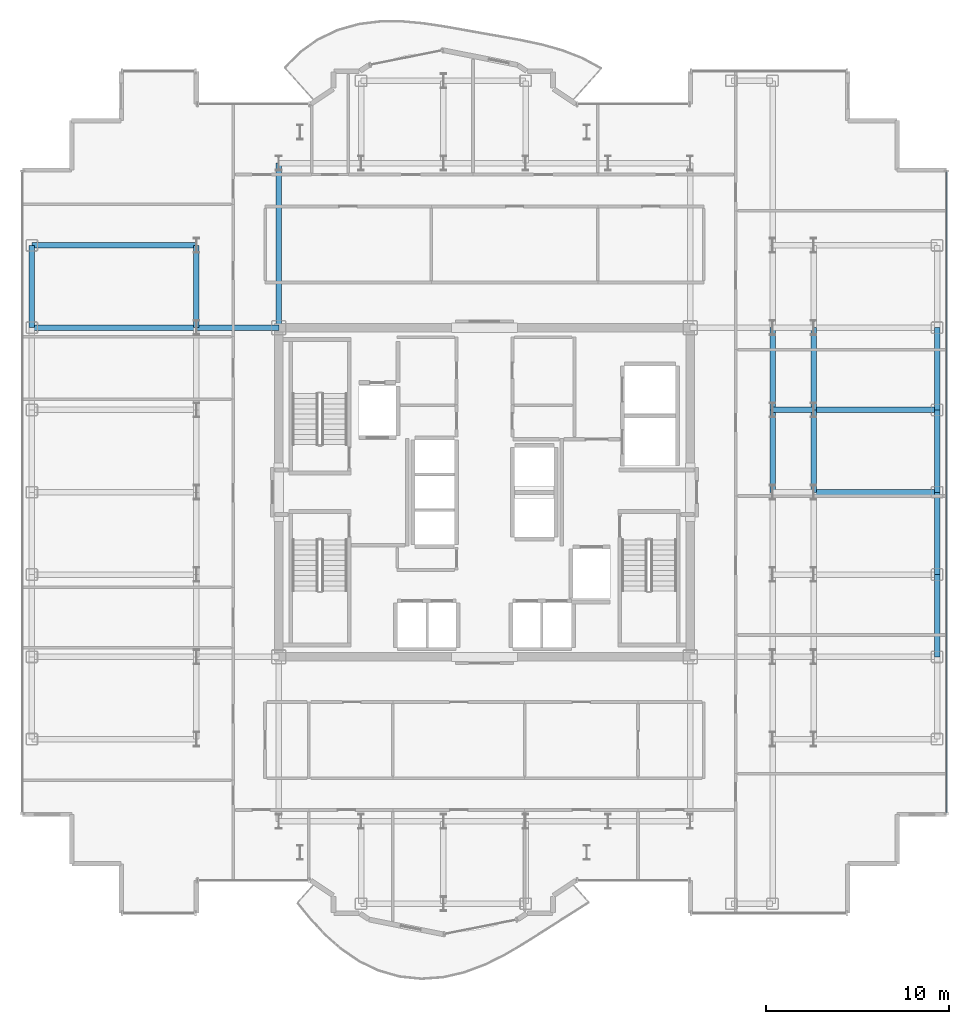
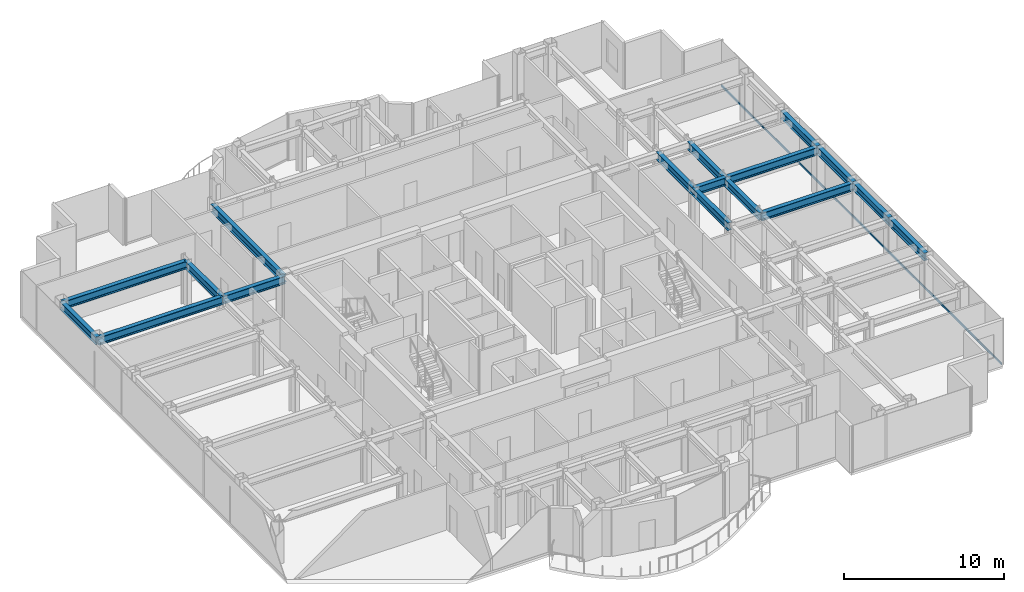
# One storey, part 7 of 21: 17 beams, 1 member, 1 element without a shape of its own.
"""IFC4 building model written with IfcOpenShell, lengths in metres."""

from ifc_helpers import new_model, si_unit, direction, frame, origin, origin_2d, place, context, subcontext, project, spatial, hollow_rectangle, i_section, extrude, source, transform, mapped, material, layer, layer_set, material_profile, profile_set, type_object, element, aggregate, save


model = new_model("IFC4")

# Units and contexts
model_context = context("Model", 3, precision=1e-05, world=origin(), true_north=direction((0.0, 1.0)))
body_context = subcontext(model_context, "Body", "Model", "MODEL_VIEW")
ifc_project = project(units=[si_unit("LENGTHUNIT", "METRE"), si_unit("AREAUNIT", "SQUARE_METRE"), si_unit("VOLUMEUNIT", "CUBIC_METRE"), si_unit("PLANEANGLEUNIT", "RADIAN"), si_unit("MASSUNIT", "GRAM", prefix="KILO")], contexts=[model_context])

# Site, building, storey
site_placement = place(None, origin())
site = spatial("IfcSite", under=ifc_project, at=site_placement, CompositionType="ELEMENT")
building_placement = place(site_placement, origin())
building = spatial("IfcBuilding", under=site, at=building_placement, Name="Nefas-Gora Pilgrimage Tower", CompositionType="ELEMENT")
storey_placement = place(building_placement, frame((0.0, 0.0, 233.199951171875)))
storey = spatial("IfcBuildingStorey", under=building, at=storey_placement, Name="L58", CompositionType="ELEMENT", Elevation=233.199951171875)

# Beams
ifc_material_1 = material(Name="Steel S355", Category="steel")
ifc_material_profile_1 = material_profile(ifc_material_1, i_section(OverallWidth=0.300048828125, OverallDepth=0.60009765625, WebThickness=0.015380859375, FlangeThickness=0.030029296875, FilletRadius=0.027099609375, at=origin_2d()), Name="HEB 600")
ifc_profile_set_1 = profile_set([ifc_material_profile_1], Name="Steel S355")
beam_type_1 = type_object("IfcBeamType", Name="BM-SPN-HEB450", PredefinedType="SPANDREL", material=ifc_profile_set_1)
shared_shape_1 = source(origin(), body_context, "Body", "SweptSolid", [
    extrude(i_section(OverallWidth=0.300048828125, OverallDepth=0.60009765625, WebThickness=0.015380859375, FlangeThickness=0.030029296875, FilletRadius=0.027099609375, at=origin_2d()), origin(), (0.0, 0.0, 1.0), 4.5),
])
for number, where, z_axis, x_axis, name in (
    (1, (-24.75, 9.0, 3.25), (0.0, 1.0, 0.0), (-1.0, 0.0, 0.0), "L58 SP-03 beam"),
    (2, (24.75, -9.0, 3.25), (0.0, 1.0, 0.0), (-1.0, 0.0, 0.0), "L58 SP-03 beam"),
    (3, (24.75, -4.5, 3.25), (0.0, 1.0, 0.0), (-1.0, 0.0, 0.0), "L58 SP-03 beam"),
    (4, (24.75, 0.0, 3.25), (0.0, 1.0, 0.0), (-1.0, 0.0, 0.0), "L58 SP-03 beam"),
    (5, (24.75, 4.5, 3.25), (0.0, 1.0, 0.0), (-1.0, 0.0, 0.0), "L58 SP-03 beam"),
):
    element("IfcBeam", number, at=place(storey_placement, frame(where, z_axis=z_axis, x_axis=x_axis)), inside=storey, type_object=beam_type_1, Name=name, PredefinedType="SPANDREL", context=body_context, shape_type="MappedRepresentation", body=[
        mapped(shared_shape_1, transform((0.0, 0.0, 0.0), x_axis=(1.0, 0.0, 0.0), y_axis=(0.0, 1.0, 0.0), z_axis=(0.0, 0.0, 1.0), scale=1.0)),
    ])
ifc_material_profile_2 = material_profile(ifc_material_1, i_section(OverallWidth=0.300048828125, OverallDepth=0.60009765625, WebThickness=0.015380859375, FlangeThickness=0.030029296875, FilletRadius=0.027099609375, at=origin_2d()), Name="HEB 600")
ifc_profile_set_2 = profile_set([ifc_material_profile_2], Name="Steel S355")
beam_type_2 = type_object("IfcBeamType", Name="BM-GIR-HEB600", PredefinedType="BEAM", material=ifc_profile_set_2)
shared_shape_2 = source(origin(), body_context, "Body", "SweptSolid", [
    extrude(i_section(OverallWidth=0.300048828125, OverallDepth=0.60009765625, WebThickness=0.015380859375, FlangeThickness=0.030029296875, FilletRadius=0.027099609375, at=origin_2d()), origin(), (0.0, 0.0, 1.0), 9.0),
])
for number, where, z_axis, x_axis, name in (
    (6, (-24.75, 9.0, 3.25), (1.0, 0.0, 0.0), (0.0, 1.0, 0.0), "L58 G-04 beam"),
    (7, (-24.75, 13.5, 3.25), (1.0, 0.0, 0.0), (0.0, 1.0, 0.0), "L58 G-04 beam"),
    (8, (-11.25, 9.0, 3.25), (0.0, 1.0, 0.0), (-1.0, 0.0, 0.0), "L58 G-04 beam"),
):
    element("IfcBeam", number, at=place(storey_placement, frame(where, z_axis=z_axis, x_axis=x_axis)), inside=storey, type_object=beam_type_2, Name=name, PredefinedType="BEAM", context=body_context, shape_type="MappedRepresentation", body=[
        mapped(shared_shape_2, transform((0.0, 0.0, 0.0), x_axis=(1.0, 0.0, 0.0), y_axis=(0.0, 1.0, 0.0), z_axis=(0.0, 0.0, 1.0), scale=1.0)),
    ])
shared_shape_3 = source(origin(), body_context, "Body", "SweptSolid", [
    extrude(i_section(OverallWidth=0.300048828125, OverallDepth=0.60009765625, WebThickness=0.015380859375, FlangeThickness=0.030029296875, FilletRadius=0.027099609375, at=origin_2d()), origin(), (0.0, 0.0, 1.0), 4.5),
])
for number, where, z_axis, x_axis, name in (
    (9, (-15.75, 9.0, 3.25), (0.0, 1.0, 0.0), (-1.0, 0.0, 0.0), "L58 G-04 beam"),
    (10, (-15.75, 9.0, 3.25), (1.0, 0.0, 0.0), (0.0, 1.0, 0.0), "L58 G-04 beam"),
    (11, (15.75, 0.0, 3.25), (0.0, 1.0, 0.0), (-1.0, 0.0, 0.0), "L58 G-04 beam"),
    (12, (15.75, 4.5, 3.25), (0.0, 1.0, 0.0), (-1.0, 0.0, 0.0), "L58 G-04 beam"),
    (13, (18.0, 0.0, 3.25), (0.0, 1.0, 0.0), (-1.0, 0.0, 0.0), "L58 G-04 beam"),
    (14, (18.0, 4.5, 3.25), (0.0, 1.0, 0.0), (-1.0, 0.0, 0.0), "L58 G-04 beam"),
):
    element("IfcBeam", number, at=place(storey_placement, frame(where, z_axis=z_axis, x_axis=x_axis)), inside=storey, type_object=beam_type_2, Name=name, PredefinedType="BEAM", context=body_context, shape_type="MappedRepresentation", body=[
        mapped(shared_shape_3, transform((0.0, 0.0, 0.0), x_axis=(1.0, 0.0, 0.0), y_axis=(0.0, 1.0, 0.0), z_axis=(0.0, 0.0, 1.0), scale=1.0)),
    ])
shared_shape_4 = source(origin(), body_context, "Body", "SweptSolid", [
    extrude(i_section(OverallWidth=0.300048828125, OverallDepth=0.60009765625, WebThickness=0.015380859375, FlangeThickness=0.030029296875, FilletRadius=0.027099609375, at=origin_2d()), origin(), (0.0, 0.0, 1.0), 6.75),
])
for number, where, z_axis, x_axis, name in (
    (15, (18.0, 0.0, 3.25), (1.0, 0.0, 0.0), (0.0, 1.0, 0.0), "L58 G-04 beam"),
    (16, (18.0, 4.5, 3.25), (1.0, 0.0, 0.0), (0.0, 1.0, 0.0), "L58 G-04 beam"),
):
    element("IfcBeam", number, at=place(storey_placement, frame(where, z_axis=z_axis, x_axis=x_axis)), inside=storey, type_object=beam_type_2, Name=name, PredefinedType="BEAM", context=body_context, shape_type="MappedRepresentation", body=[
        mapped(shared_shape_4, transform((0.0, 0.0, 0.0), x_axis=(1.0, 0.0, 0.0), y_axis=(0.0, 1.0, 0.0), z_axis=(0.0, 0.0, 1.0), scale=1.0)),
    ])
shared_shape_5 = source(origin(), body_context, "Body", "SweptSolid", [
    extrude(i_section(OverallWidth=0.300048828125, OverallDepth=0.60009765625, WebThickness=0.015380859375, FlangeThickness=0.030029296875, FilletRadius=0.027099609375, at=origin_2d()), origin(), (0.0, 0.0, 1.0), 2.25),
])
beam_placement = place(storey_placement, frame((15.75, 4.5, 3.25), z_axis=(1.0, 0.0, 0.0), x_axis=(0.0, 1.0, 0.0)))
element("IfcBeam", 17, at=beam_placement, inside=storey, type_object=beam_type_2, Name="L58 G-04 beam", PredefinedType="BEAM", context=body_context, shape_type="MappedRepresentation", body=[
    mapped(shared_shape_5, transform((0.0, 0.0, 0.0), x_axis=(1.0, 0.0, 0.0), y_axis=(0.0, 1.0, 0.0), z_axis=(0.0, 0.0, 1.0), scale=1.0)),
])

# Curtain wall, member
ifc_material_2 = material(Name="Dark ceramic-fritted solar-control aluminium-glass curtain wall", Category="aluminium")
ifc_layer = layer(ifc_material_2, 0.219970703125)
ifc_layer_set = layer_set([ifc_layer], Name="Dark ceramic-fritted solar-control aluminium-glass curtain wall")
curtain_wall_type = type_object("IfcCurtainWallType", Name="CW-SYS-3", PredefinedType="NOTDEFINED", material=ifc_layer_set)
curtain_wall_placement = place(storey_placement, origin())
curtain_wall = element("IfcCurtainWall", 18, at=curtain_wall_placement, inside=storey, type_object=curtain_wall_type, Name="L58 Unitised Curtain Wall CW3", PredefinedType="NOTDEFINED")
ifc_material_3 = material(Name="Anodised architectural aluminium", Category="aluminium")
ifc_material_profile_3 = material_profile(ifc_material_3, hollow_rectangle(XDim=0.080078125, YDim=0.159912109375, WallThickness=0.00439453125, InnerFilletRadius=0.00439453125, OuterFilletRadius=0.009033203125, at=origin_2d()), Name="ALU TRANSOM 80x160")
ifc_profile_set_3 = profile_set([ifc_material_profile_3], Name="Anodised architectural aluminium")
member_type = type_object("IfcMemberType", Name="CWM-TRN-3", PredefinedType="USERDEFINED", material=ifc_profile_set_3)
shared_shape_6 = source(origin(), body_context, "Body", "SweptSolid", [
    extrude(hollow_rectangle(XDim=0.080078125, YDim=0.159912109375, WallThickness=0.00439453125, InnerFilletRadius=0.00439453125, OuterFilletRadius=0.009033203125, at=origin_2d()), origin(), (0.0, 0.0, 1.0), 35.06005859375),
])
member_placement = place(storey_placement, frame((25.27001953125, -17.530029296875, 0.050048828125), z_axis=(0.0, 1.0, 0.0), x_axis=(-1.0, 0.0, 0.0)))
member = element("IfcMember", 19, at=member_placement, type_object=member_type, Name="CW3 Spandrel Transom", ObjectType="TRANSOM", PredefinedType="USERDEFINED", context=body_context, shape_type="MappedRepresentation", body=[
    mapped(shared_shape_6, transform((0.0, 0.0, 0.0), x_axis=(1.0, 0.0, 0.0), y_axis=(0.0, 1.0, 0.0), z_axis=(0.0, 0.0, 1.0), scale=1.0)),
])
aggregate(curtain_wall, [member])

save(model, "model.ifc")
